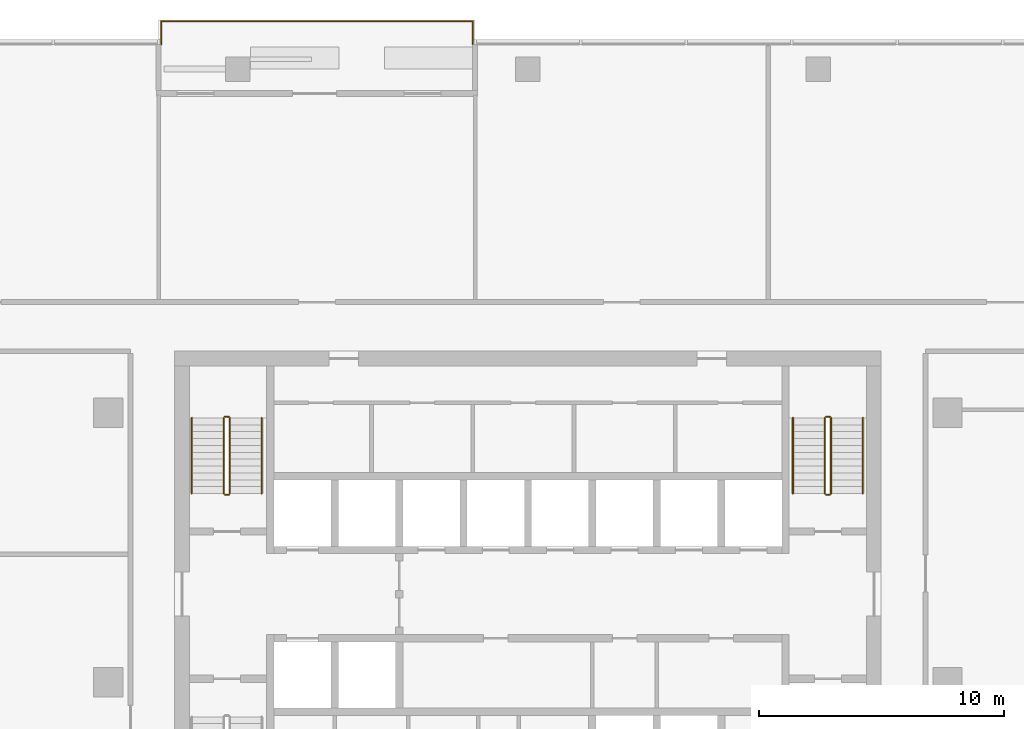
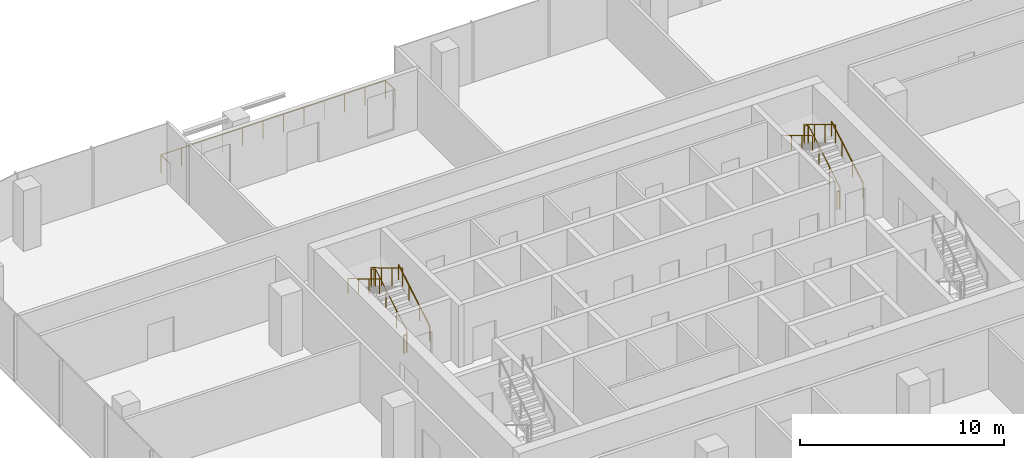
# One storey, part 13 of 13: 11 railings.
"""IFC4 building model written with IfcOpenShell, lengths in metres."""

from ifc_helpers import new_model, si_unit, direction, frame, origin, origin_2d, place, context, subcontext, project, spatial, circle, extrude, material, type_object, element, save


model = new_model("IFC4")

# Units and contexts
model_context = context("Model", 3, precision=1e-05, world=origin(), true_north=direction((0.0, 1.0)))
body_context = subcontext(model_context, "Body", "Model", "MODEL_VIEW")
ifc_project = project(units=[si_unit("LENGTHUNIT", "METRE"), si_unit("AREAUNIT", "SQUARE_METRE"), si_unit("VOLUMEUNIT", "CUBIC_METRE"), si_unit("PLANEANGLEUNIT", "RADIAN"), si_unit("MASSUNIT", "GRAM", prefix="KILO")], contexts=[model_context])

# Site, building, storey
site_placement = place(None, origin())
site = spatial("IfcSite", under=ifc_project, at=site_placement, CompositionType="ELEMENT")
building_placement = place(site_placement, origin())
building = spatial("IfcBuilding", under=site, at=building_placement, Name="Mopane Tessera Tower", CompositionType="ELEMENT")
storey_placement = place(building_placement, frame((0.0, 0.0, 295.39990234375)))
storey = spatial("IfcBuildingStorey", under=building, at=storey_placement, Name="L64", CompositionType="ELEMENT", Elevation=295.39990234375)

# Railings
ifc_material_1 = material(Name="Powder-coated steel balustrade", Category="steel")
railing_type_1 = type_object("IfcRailingType", Name="Escape stair guard 1100 mm", PredefinedType="GUARDRAIL", material=ifc_material_1)
railing_1_placement = place(storey_placement, frame((-12.14990234375, 7.699951171875, 0.166748046875)))
element("IfcRailing", 1, at=railing_1_placement, inside=storey, type_object=railing_type_1, Name="L64 ST2 stair guard 1", PredefinedType="GUARDRAIL", context=body_context, shape_type="SweptSolid", body=[
    extrude(circle(Radius=0.02392578125, at=origin_2d()), frame((0.0, 0.0, 1.076171875), z_axis=(0.0, 0.859308565015, 0.511457515432), x_axis=(-1.0, 0.0, 0.0)), (0.0, 0.0, 1.0), 3.58447265625),
    extrude(circle(Radius=0.02392578125, at=origin_2d()), frame((0.0, 3.080078125, 2.9091796875), z_axis=(-0.707106781187, 0.707106781187, 0.0), x_axis=(-0.707106781187, -0.707106781187, 0.0)), (0.0, 0.0, 1.0), 0.07080078125),
    extrude(circle(Radius=0.02392578125, at=origin_2d()), frame((-0.050048828125, 3.130126953125, 2.9091796875), z_axis=(-1.0, 0.0, 0.0), x_axis=(0.0, -1.0, 0.0)), (0.0, 0.0, 1.0), 0.150146484375),
    extrude(circle(Radius=0.02099609375, at=origin_2d()), origin(), (0.0, 0.0, 1.0), 1.052001953125),
    extrude(circle(Radius=0.02099609375, at=origin_2d()), frame((0.0, 1.026611328125, 0.611083984375)), (0.0, 0.0, 1.0), 1.052001953125),
    extrude(circle(Radius=0.02099609375, at=origin_2d()), frame((0.0, 2.053466796875, 1.22216796875)), (0.0, 0.0, 1.0), 1.052001953125),
    extrude(circle(Radius=0.02099609375, at=origin_2d()), frame((0.0, 3.080078125, 1.833251953125)), (0.0, 0.0, 1.0), 1.052001953125),
    extrude(circle(Radius=0.02099609375, at=origin_2d()), frame((-0.050048828125, 3.130126953125, 1.833251953125)), (0.0, 0.0, 1.0), 1.052001953125),
    extrude(circle(Radius=0.02099609375, at=origin_2d()), frame((-0.2001953125, 3.130126953125, 1.833251953125)), (0.0, 0.0, 1.0), 1.052001953125),
])
railing_2_placement = place(storey_placement, frame((-12.39990234375, 10.780029296875, 2.166748046875)))
element("IfcRailing", 2, at=railing_2_placement, inside=storey, type_object=railing_type_1, Name="L64 ST2 stair guard 2", PredefinedType="GUARDRAIL", context=body_context, shape_type="SweptSolid", body=[
    extrude(circle(Radius=0.02392578125, at=origin_2d()), frame((0.0, 0.0, 1.076171875), z_axis=(0.0, -0.859308565015, 0.511457515432), x_axis=(1.0, 0.0, 0.0)), (0.0, 0.0, 1.0), 3.58447265625),
    extrude(circle(Radius=0.02099609375, at=origin_2d()), origin(), (0.0, 0.0, 1.0), 1.052001953125),
    extrude(circle(Radius=0.02099609375, at=origin_2d()), frame((0.0, -1.026611328125, 0.611083984375)), (0.0, 0.0, 1.0), 1.052001953125),
    extrude(circle(Radius=0.02099609375, at=origin_2d()), frame((0.0, -2.053466796875, 1.22216796875)), (0.0, 0.0, 1.0), 1.052001953125),
    extrude(circle(Radius=0.02099609375, at=origin_2d()), frame((0.0, -3.080078125, 1.833251953125)), (0.0, 0.0, 1.0), 1.052001953125),
])
railing_3_placement = place(storey_placement, frame((-12.199951171875, 7.64990234375, 0.0)))
element("IfcRailing", 3, at=railing_3_placement, inside=storey, type_object=railing_type_1, Name="L64 ST2 stair guard 3", PredefinedType="GUARDRAIL", context=body_context, shape_type="SweptSolid", body=[
    extrude(circle(Radius=0.02392578125, at=origin_2d()), frame((0.0, 0.0, 1.076171875), z_axis=(-1.0, 0.0, 0.0), x_axis=(0.0, -1.0, 0.0)), (0.0, 0.0, 1.0), 0.150146484375),
    extrude(circle(Radius=0.02099609375, at=origin_2d()), origin(), (0.0, 0.0, 1.0), 1.052001953125),
    extrude(circle(Radius=0.02099609375, at=origin_2d()), frame((-0.150146484375, 0.0, 0.0)), (0.0, 0.0, 1.0), 1.052001953125),
])
railing_4_placement = place(storey_placement, frame((12.35009765625, 7.699951171875, 0.166748046875)))
element("IfcRailing", 4, at=railing_4_placement, inside=storey, type_object=railing_type_1, Name="L64 ST4 stair guard 1", PredefinedType="GUARDRAIL", context=body_context, shape_type="SweptSolid", body=[
    extrude(circle(Radius=0.02392578125, at=origin_2d()), frame((0.0, 0.0, 1.076171875), z_axis=(0.0, 0.859308565015, 0.511457515432), x_axis=(-1.0, 0.0, 0.0)), (0.0, 0.0, 1.0), 3.58447265625),
    extrude(circle(Radius=0.02392578125, at=origin_2d()), frame((0.0, 3.080078125, 2.9091796875), z_axis=(-0.707106781187, 0.707106781187, 0.0), x_axis=(-0.707106781187, -0.707106781187, 0.0)), (0.0, 0.0, 1.0), 0.07080078125),
    extrude(circle(Radius=0.02392578125, at=origin_2d()), frame((-0.050048828125, 3.130126953125, 2.9091796875), z_axis=(-1.0, 0.0, 0.0), x_axis=(0.0, -1.0, 0.0)), (0.0, 0.0, 1.0), 0.150146484375),
    extrude(circle(Radius=0.02099609375, at=origin_2d()), origin(), (0.0, 0.0, 1.0), 1.052001953125),
    extrude(circle(Radius=0.02099609375, at=origin_2d()), frame((0.0, 1.026611328125, 0.611083984375)), (0.0, 0.0, 1.0), 1.052001953125),
    extrude(circle(Radius=0.02099609375, at=origin_2d()), frame((0.0, 2.053466796875, 1.22216796875)), (0.0, 0.0, 1.0), 1.052001953125),
    extrude(circle(Radius=0.02099609375, at=origin_2d()), frame((0.0, 3.080078125, 1.833251953125)), (0.0, 0.0, 1.0), 1.052001953125),
    extrude(circle(Radius=0.02099609375, at=origin_2d()), frame((-0.050048828125, 3.130126953125, 1.833251953125)), (0.0, 0.0, 1.0), 1.052001953125),
    extrude(circle(Radius=0.02099609375, at=origin_2d()), frame((-0.2001953125, 3.130126953125, 1.833251953125)), (0.0, 0.0, 1.0), 1.052001953125),
])
railing_5_placement = place(storey_placement, frame((12.10009765625, 10.780029296875, 2.166748046875)))
element("IfcRailing", 5, at=railing_5_placement, inside=storey, type_object=railing_type_1, Name="L64 ST4 stair guard 2", PredefinedType="GUARDRAIL", context=body_context, shape_type="SweptSolid", body=[
    extrude(circle(Radius=0.02392578125, at=origin_2d()), frame((0.0, 0.0, 1.076171875), z_axis=(0.0, -0.859308565015, 0.511457515432), x_axis=(1.0, 0.0, 0.0)), (0.0, 0.0, 1.0), 3.58447265625),
    extrude(circle(Radius=0.02099609375, at=origin_2d()), origin(), (0.0, 0.0, 1.0), 1.052001953125),
    extrude(circle(Radius=0.02099609375, at=origin_2d()), frame((0.0, -1.026611328125, 0.611083984375)), (0.0, 0.0, 1.0), 1.052001953125),
    extrude(circle(Radius=0.02099609375, at=origin_2d()), frame((0.0, -2.053466796875, 1.22216796875)), (0.0, 0.0, 1.0), 1.052001953125),
    extrude(circle(Radius=0.02099609375, at=origin_2d()), frame((0.0, -3.080078125, 1.833251953125)), (0.0, 0.0, 1.0), 1.052001953125),
])
railing_6_placement = place(storey_placement, frame((12.300048828125, 7.64990234375, 0.0)))
element("IfcRailing", 6, at=railing_6_placement, inside=storey, type_object=railing_type_1, Name="L64 ST4 stair guard 3", PredefinedType="GUARDRAIL", context=body_context, shape_type="SweptSolid", body=[
    extrude(circle(Radius=0.02392578125, at=origin_2d()), frame((0.0, 0.0, 1.076171875), z_axis=(-1.0, 0.0, 0.0), x_axis=(0.0, -1.0, 0.0)), (0.0, 0.0, 1.0), 0.150146484375),
    extrude(circle(Radius=0.02099609375, at=origin_2d()), origin(), (0.0, 0.0, 1.0), 1.052001953125),
    extrude(circle(Radius=0.02099609375, at=origin_2d()), frame((-0.150146484375, 0.0, 0.0)), (0.0, 0.0, 1.0), 1.052001953125),
])
ifc_material_2 = material(Name="Powder-coated steel balustrade", Category="steel")
railing_type_2 = type_object("IfcRailingType", Name="Escape stair handrail 900 mm", PredefinedType="HANDRAIL", material=ifc_material_2)
railing_7_placement = place(storey_placement, frame((-10.85009765625, 7.699951171875, 0.166748046875)))
element("IfcRailing", 7, at=railing_7_placement, inside=storey, type_object=railing_type_2, Name="L64 ST2 stair handrail 1", PredefinedType="HANDRAIL", context=body_context, shape_type="SweptSolid", body=[
    extrude(circle(Radius=0.02392578125, at=origin_2d()), frame((0.0, 0.0, 0.8759765625), z_axis=(0.0, 0.859308565015, 0.511457515432), x_axis=(-1.0, 0.0, 0.0)), (0.0, 0.0, 1.0), 3.58447265625),
    extrude(circle(Radius=0.02099609375, at=origin_2d()), origin(), (0.0, 0.0, 1.0), 0.851806640625),
    extrude(circle(Radius=0.02099609375, at=origin_2d()), frame((0.0, 1.026611328125, 0.611083984375)), (0.0, 0.0, 1.0), 0.851806640625),
    extrude(circle(Radius=0.02099609375, at=origin_2d()), frame((0.0, 2.053466796875, 1.22216796875)), (0.0, 0.0, 1.0), 0.851806640625),
    extrude(circle(Radius=0.02099609375, at=origin_2d()), frame((0.0, 3.080078125, 1.833251953125)), (0.0, 0.0, 1.0), 0.851806640625),
])
railing_8_placement = place(storey_placement, frame((-13.699951171875, 10.780029296875, 2.166748046875)))
element("IfcRailing", 8, at=railing_8_placement, inside=storey, type_object=railing_type_2, Name="L64 ST2 stair handrail 2", PredefinedType="HANDRAIL", context=body_context, shape_type="SweptSolid", body=[
    extrude(circle(Radius=0.02392578125, at=origin_2d()), frame((0.0, 0.0, 0.8759765625), z_axis=(0.0, -0.859308565015, 0.511457515432), x_axis=(1.0, 0.0, 0.0)), (0.0, 0.0, 1.0), 3.58447265625),
    extrude(circle(Radius=0.02099609375, at=origin_2d()), origin(), (0.0, 0.0, 1.0), 0.851806640625),
    extrude(circle(Radius=0.02099609375, at=origin_2d()), frame((0.0, -1.026611328125, 0.611083984375)), (0.0, 0.0, 1.0), 0.851806640625),
    extrude(circle(Radius=0.02099609375, at=origin_2d()), frame((0.0, -2.053466796875, 1.22216796875)), (0.0, 0.0, 1.0), 0.851806640625),
    extrude(circle(Radius=0.02099609375, at=origin_2d()), frame((0.0, -3.080078125, 1.833251953125)), (0.0, 0.0, 1.0), 0.851806640625),
])
railing_9_placement = place(storey_placement, frame((13.64990234375, 7.699951171875, 0.166748046875)))
element("IfcRailing", 9, at=railing_9_placement, inside=storey, type_object=railing_type_2, Name="L64 ST4 stair handrail 1", PredefinedType="HANDRAIL", context=body_context, shape_type="SweptSolid", body=[
    extrude(circle(Radius=0.02392578125, at=origin_2d()), frame((0.0, 0.0, 0.8759765625), z_axis=(0.0, 0.859308565015, 0.511457515432), x_axis=(-1.0, 0.0, 0.0)), (0.0, 0.0, 1.0), 3.58447265625),
    extrude(circle(Radius=0.02099609375, at=origin_2d()), origin(), (0.0, 0.0, 1.0), 0.851806640625),
    extrude(circle(Radius=0.02099609375, at=origin_2d()), frame((0.0, 1.026611328125, 0.611083984375)), (0.0, 0.0, 1.0), 0.851806640625),
    extrude(circle(Radius=0.02099609375, at=origin_2d()), frame((0.0, 2.053466796875, 1.22216796875)), (0.0, 0.0, 1.0), 0.851806640625),
    extrude(circle(Radius=0.02099609375, at=origin_2d()), frame((0.0, 3.080078125, 1.833251953125)), (0.0, 0.0, 1.0), 0.851806640625),
])
railing_10_placement = place(storey_placement, frame((10.800048828125, 10.780029296875, 2.166748046875)))
element("IfcRailing", 10, at=railing_10_placement, inside=storey, type_object=railing_type_2, Name="L64 ST4 stair handrail 2", PredefinedType="HANDRAIL", context=body_context, shape_type="SweptSolid", body=[
    extrude(circle(Radius=0.02392578125, at=origin_2d()), frame((0.0, 0.0, 0.8759765625), z_axis=(0.0, -0.859308565015, 0.511457515432), x_axis=(1.0, 0.0, 0.0)), (0.0, 0.0, 1.0), 3.58447265625),
    extrude(circle(Radius=0.02099609375, at=origin_2d()), origin(), (0.0, 0.0, 1.0), 0.851806640625),
    extrude(circle(Radius=0.02099609375, at=origin_2d()), frame((0.0, -1.026611328125, 0.611083984375)), (0.0, 0.0, 1.0), 0.851806640625),
    extrude(circle(Radius=0.02099609375, at=origin_2d()), frame((0.0, -2.053466796875, 1.22216796875)), (0.0, 0.0, 1.0), 0.851806640625),
    extrude(circle(Radius=0.02099609375, at=origin_2d()), frame((0.0, -3.080078125, 1.833251953125)), (0.0, 0.0, 1.0), 0.851806640625),
])
ifc_material_3 = material(Name="Stainless steel S316", Category="steel")
railing_type_3 = type_object("IfcRailingType", Name="Terrace guard 1100", PredefinedType="GUARDRAIL", material=ifc_material_3)
railing_11_placement = place(storey_placement, frame((-2.25, 26.0, 0.0)))
element("IfcRailing", 11, at=railing_11_placement, inside=storey, type_object=railing_type_3, Name="e:nw:L64:N2:guard", PredefinedType="GUARDRAIL", context=body_context, shape_type="SweptSolid", body=[
    extrude(circle(Radius=0.02392578125, at=origin_2d()), frame((0.0, 0.0, 1.076171875), z_axis=(0.0, 1.0, 0.0), x_axis=(-1.0, 0.0, 0.0)), (0.0, 0.0, 1.0), 0.949951171875),
    extrude(circle(Radius=0.02392578125, at=origin_2d()), frame((0.0, 0.949951171875, 1.076171875), z_axis=(-1.0, 0.0, 0.0), x_axis=(0.0, -1.0, 0.0)), (0.0, 0.0, 1.0), 12.699951171875),
    extrude(circle(Radius=0.02392578125, at=origin_2d()), frame((-12.699951171875, 0.949951171875, 1.076171875), z_axis=(0.0, -1.0, 0.0), x_axis=(1.0, 0.0, 0.0)), (0.0, 0.0, 1.0), 0.949951171875),
    extrude(circle(Radius=0.02099609375, at=origin_2d()), origin(), (0.0, 0.0, 1.0), 1.052001953125),
    extrude(circle(Radius=0.02099609375, at=origin_2d()), frame((0.0, 0.949951171875, 0.0)), (0.0, 0.0, 1.0), 1.052001953125),
    extrude(circle(Radius=0.02099609375, at=origin_2d()), frame((-1.154541015625, 0.949951171875, 0.0)), (0.0, 0.0, 1.0), 1.052001953125),
    extrude(circle(Radius=0.02099609375, at=origin_2d()), frame((-2.30908203125, 0.949951171875, 0.0)), (0.0, 0.0, 1.0), 1.052001953125),
    extrude(circle(Radius=0.02099609375, at=origin_2d()), frame((-3.463623046875, 0.949951171875, 0.0)), (0.0, 0.0, 1.0), 1.052001953125),
    extrude(circle(Radius=0.02099609375, at=origin_2d()), frame((-4.6181640625, 0.949951171875, 0.0)), (0.0, 0.0, 1.0), 1.052001953125),
    extrude(circle(Radius=0.02099609375, at=origin_2d()), frame((-5.772705078125, 0.949951171875, 0.0)), (0.0, 0.0, 1.0), 1.052001953125),
    extrude(circle(Radius=0.02099609375, at=origin_2d()), frame((-6.92724609375, 0.949951171875, 0.0)), (0.0, 0.0, 1.0), 1.052001953125),
    extrude(circle(Radius=0.02099609375, at=origin_2d()), frame((-8.081787109375, 0.949951171875, 0.0)), (0.0, 0.0, 1.0), 1.052001953125),
    extrude(circle(Radius=0.02099609375, at=origin_2d()), frame((-9.236328125, 0.949951171875, 0.0)), (0.0, 0.0, 1.0), 1.052001953125),
    extrude(circle(Radius=0.02099609375, at=origin_2d()), frame((-10.390869140625, 0.949951171875, 0.0)), (0.0, 0.0, 1.0), 1.052001953125),
    extrude(circle(Radius=0.02099609375, at=origin_2d()), frame((-11.54541015625, 0.949951171875, 0.0)), (0.0, 0.0, 1.0), 1.052001953125),
    extrude(circle(Radius=0.02099609375, at=origin_2d()), frame((-12.699951171875, 0.949951171875, 0.0)), (0.0, 0.0, 1.0), 1.052001953125),
    extrude(circle(Radius=0.02099609375, at=origin_2d()), frame((-12.699951171875, 0.0, 0.0)), (0.0, 0.0, 1.0), 1.052001953125),
])

save(model, "model.ifc")
